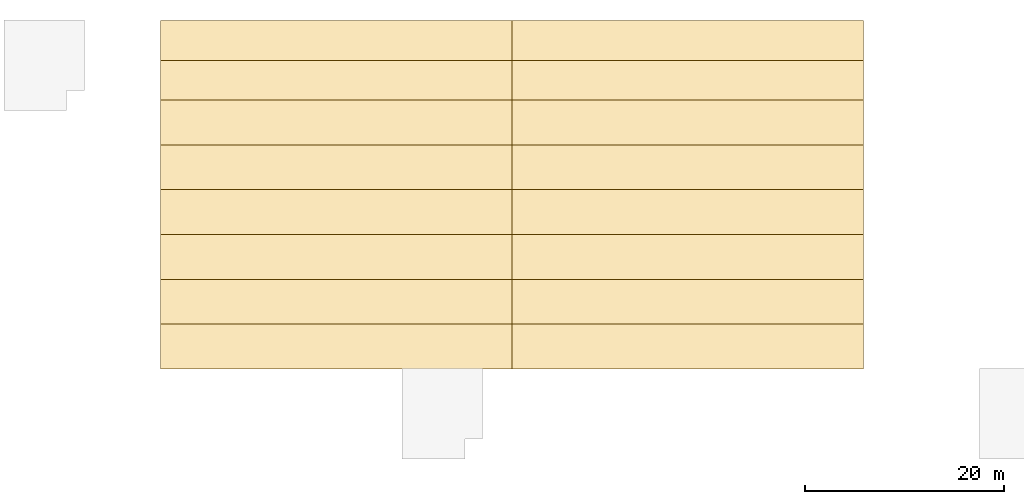
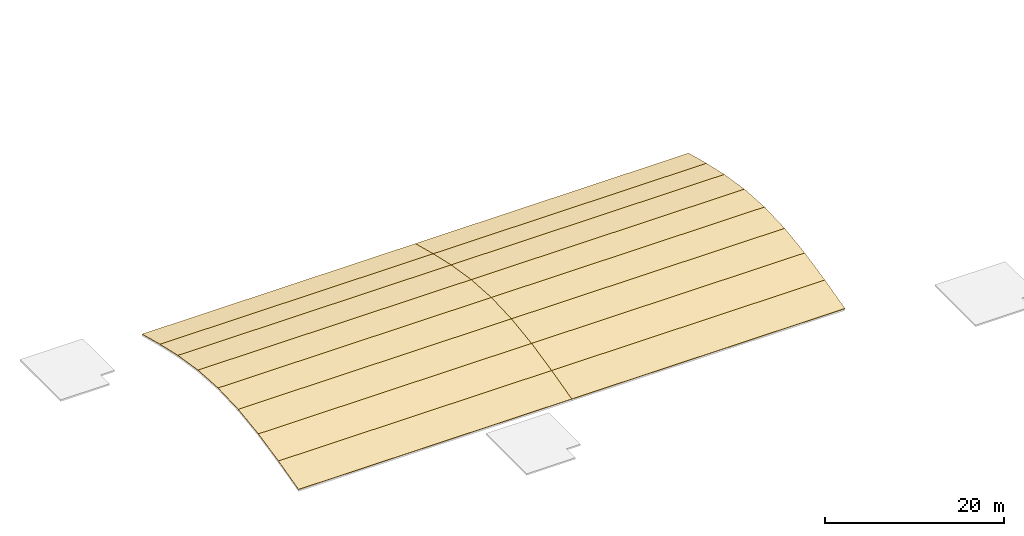
# One storey, part 2 of 2: 16 coverings.
"""IFC4 building model written with IfcOpenShell, lengths in metres."""

from ifc_helpers import new_model, si_unit, derived_unit, direction, frame, origin, place, context, subcontext, project, spatial, polygons, material, layer, layer_set, type_object, element, save


model = new_model("IFC4")

# Units and contexts
model_context = context("Model", 3, precision=1e-05, world=origin(), true_north=direction((0.0, 1.0)))
body_context = subcontext(model_context, "Body", "Model", "MODEL_VIEW")
ifc_project = project(units=[si_unit("LENGTHUNIT", "METRE"), si_unit("AREAUNIT", "SQUARE_METRE"), si_unit("VOLUMEUNIT", "CUBIC_METRE"), si_unit("PLANEANGLEUNIT", "RADIAN"), si_unit("MASSUNIT", "GRAM", prefix="KILO"), si_unit("THERMODYNAMICTEMPERATUREUNIT", "KELVIN"), derived_unit("THERMALTRANSMITTANCEUNIT", [(si_unit("POWERUNIT", "WATT"), 1), (si_unit("AREAUNIT", "SQUARE_METRE"), -1), (si_unit("THERMODYNAMICTEMPERATUREUNIT", "KELVIN"), -1)])], contexts=[model_context])

# Site, building, storey
site_placement = place(None, origin())
site = spatial("IfcSite", under=ifc_project, at=site_placement, CompositionType="ELEMENT")
building_placement = place(site_placement, origin())
building = spatial("IfcBuilding", under=site, at=building_placement, Name="Haiyu Intermodal Mobility Hub", CompositionType="ELEMENT")
storey_placement = place(building_placement, frame((0.0, 0.0, 30.5)))
storey = spatial("IfcBuildingStorey", under=building, at=storey_placement, Name="RF", CompositionType="ELEMENT", Elevation=30.5)

# Coverings
ifc_material = material(Name="Anodised aluminium 6063-T6", Category="aluminium")
ifc_layer = layer(ifc_material, 0.080078125)
ifc_layer_set = layer_set([ifc_layer], Name="Anodised aluminium 6063-T6")
covering_type = type_object("IfcCoveringType", Name="COV-CV04", PredefinedType="ROOFING", material=ifc_layer_set)
covering_1_placement = place(storey_placement, origin())
element("IfcCovering", 1, at=covering_1_placement, inside=storey, type_object=covering_type, Name="Sports Pavilion Standing-Seam Vault 01", PredefinedType="ROOFING", context=body_context, shape_type="Tessellation", body=[
    polygons([(37.699951171875, 113.0, -2.070068359375), (73.0, 113.0, -2.070068359375), (73.0, 117.5, -0.910888671875), (37.699951171875, 117.5, -0.910888671875), (37.699951171875, 113.0, -2.010009765625), (73.0, 113.0, -2.010009765625), (73.0, 117.5, -0.85107421875), (37.699951171875, 117.5, -0.85107421875)], [[[4, 3, 2, 1]], [[5, 6, 7, 8]], [[1, 2, 6, 5]], [[2, 3, 7, 6]], [[3, 4, 8, 7]], [[4, 1, 5, 8]]], closed=True),
])
covering_2_placement = place(storey_placement, origin())
element("IfcCovering", 2, at=covering_2_placement, inside=storey, type_object=covering_type, Name="Sports Pavilion Standing-Seam Vault 02", PredefinedType="ROOFING", context=body_context, shape_type="Tessellation", body=[
    polygons([(37.699951171875, 117.5, -0.910888671875), (73.0, 117.5, -0.910888671875), (73.0, 122.0, 0.06201171875), (37.699951171875, 122.0, 0.06201171875), (37.699951171875, 117.5, -0.85107421875), (73.0, 117.5, -0.85107421875), (73.0, 122.0, 0.1220703125), (37.699951171875, 122.0, 0.1220703125)], [[[4, 3, 2, 1]], [[5, 6, 7, 8]], [[1, 2, 6, 5]], [[2, 3, 7, 6]], [[3, 4, 8, 7]], [[4, 1, 5, 8]]], closed=True),
])
covering_3_placement = place(storey_placement, origin())
element("IfcCovering", 3, at=covering_3_placement, inside=storey, type_object=covering_type, Name="Sports Pavilion Standing-Seam Vault 03", PredefinedType="ROOFING", context=body_context, shape_type="Tessellation", body=[
    polygons([(37.699951171875, 122.0, 0.06201171875), (73.0, 122.0, 0.06201171875), (73.0, 126.5, 0.69189453125), (37.699951171875, 126.5, 0.69189453125), (37.699951171875, 122.0, 0.1220703125), (73.0, 122.0, 0.1220703125), (73.0, 126.5, 0.751953125), (37.699951171875, 126.5, 0.751953125)], [[[4, 3, 2, 1]], [[5, 6, 7, 8]], [[1, 2, 6, 5]], [[2, 3, 7, 6]], [[3, 4, 8, 7]], [[4, 1, 5, 8]]], closed=True),
])
covering_4_placement = place(storey_placement, origin())
element("IfcCovering", 4, at=covering_4_placement, inside=storey, type_object=covering_type, Name="Sports Pavilion Standing-Seam Vault 04", PredefinedType="ROOFING", context=body_context, shape_type="Tessellation", body=[
    polygons([(37.699951171875, 126.5, 0.69189453125), (73.0, 126.5, 0.69189453125), (73.0, 131.0, 0.876953125), (37.699951171875, 131.0, 0.876953125), (37.699951171875, 126.5, 0.751953125), (73.0, 126.5, 0.751953125), (73.0, 131.0, 0.93701171875), (37.699951171875, 131.0, 0.93701171875)], [[[4, 3, 2, 1]], [[5, 6, 7, 8]], [[1, 2, 6, 5]], [[2, 3, 7, 6]], [[3, 4, 8, 7]], [[4, 1, 5, 8]]], closed=True),
])
covering_5_placement = place(storey_placement, origin())
element("IfcCovering", 5, at=covering_5_placement, inside=storey, type_object=covering_type, Name="Sports Pavilion Standing-Seam Vault 05", PredefinedType="ROOFING", context=body_context, shape_type="Tessellation", body=[
    polygons([(37.699951171875, 131.0, 0.876953125), (73.0, 131.0, 0.876953125), (73.0, 135.5, 0.587890625), (37.699951171875, 135.5, 0.587890625), (37.699951171875, 131.0, 0.93701171875), (73.0, 131.0, 0.93701171875), (73.0, 135.5, 0.64794921875), (37.699951171875, 135.5, 0.64794921875)], [[[4, 3, 2, 1]], [[5, 6, 7, 8]], [[1, 2, 6, 5]], [[2, 3, 7, 6]], [[3, 4, 8, 7]], [[4, 1, 5, 8]]], closed=True),
])
covering_6_placement = place(storey_placement, origin())
element("IfcCovering", 6, at=covering_6_placement, inside=storey, type_object=covering_type, Name="Sports Pavilion Standing-Seam Vault 06", PredefinedType="ROOFING", context=body_context, shape_type="Tessellation", body=[
    polygons([(37.699951171875, 135.5, 0.587890625), (73.0, 135.5, 0.587890625), (73.0, 140.0, -0.12890625), (37.699951171875, 140.0, -0.12890625), (37.699951171875, 135.5, 0.64794921875), (73.0, 135.5, 0.64794921875), (73.0, 140.0, -0.069091796875), (37.699951171875, 140.0, -0.069091796875)], [[[4, 3, 2, 1]], [[5, 6, 7, 8]], [[1, 2, 6, 5]], [[2, 3, 7, 6]], [[3, 4, 8, 7]], [[4, 1, 5, 8]]], closed=True),
])
covering_7_placement = place(storey_placement, origin())
element("IfcCovering", 7, at=covering_7_placement, inside=storey, type_object=covering_type, Name="Sports Pavilion Standing-Seam Vault 07", PredefinedType="ROOFING", context=body_context, shape_type="Tessellation", body=[
    polygons([(37.699951171875, 140.0, -0.12890625), (73.0, 140.0, -0.12890625), (73.0, 144.0, -1.032958984375), (37.699951171875, 144.0, -1.032958984375), (37.699951171875, 140.0, -0.069091796875), (73.0, 140.0, -0.069091796875), (73.0, 144.0, -0.972900390625), (37.699951171875, 144.0, -0.972900390625)], [[[4, 3, 2, 1]], [[5, 6, 7, 8]], [[1, 2, 6, 5]], [[2, 3, 7, 6]], [[3, 4, 8, 7]], [[4, 1, 5, 8]]], closed=True),
])
covering_8_placement = place(storey_placement, origin())
element("IfcCovering", 8, at=covering_8_placement, inside=storey, type_object=covering_type, Name="Sports Pavilion Standing-Seam Vault 08", PredefinedType="ROOFING", context=body_context, shape_type="Tessellation", body=[
    polygons([(37.699951171875, 144.0, -1.032958984375), (73.0, 144.0, -1.032958984375), (73.0, 148.0, -2.070068359375), (37.699951171875, 148.0, -2.070068359375), (37.699951171875, 144.0, -0.972900390625), (73.0, 144.0, -0.972900390625), (73.0, 148.0, -2.010009765625), (37.699951171875, 148.0, -2.010009765625)], [[[4, 3, 2, 1]], [[5, 6, 7, 8]], [[1, 2, 6, 5]], [[2, 3, 7, 6]], [[3, 4, 8, 7]], [[4, 1, 5, 8]]], closed=True),
])
covering_9_placement = place(storey_placement, origin())
element("IfcCovering", 9, at=covering_9_placement, inside=storey, type_object=covering_type, Name="Sports Pavilion Standing-Seam Vault 09", PredefinedType="ROOFING", context=body_context, shape_type="Tessellation", body=[
    polygons([(73.0, 113.0, -2.070068359375), (108.300048828125, 113.0, -2.070068359375), (108.300048828125, 117.5, -0.910888671875), (73.0, 117.5, -0.910888671875), (73.0, 113.0, -2.010009765625), (108.300048828125, 113.0, -2.010009765625), (108.300048828125, 117.5, -0.85107421875), (73.0, 117.5, -0.85107421875)], [[[4, 3, 2, 1]], [[5, 6, 7, 8]], [[1, 2, 6, 5]], [[2, 3, 7, 6]], [[3, 4, 8, 7]], [[4, 1, 5, 8]]], closed=True),
])
covering_10_placement = place(storey_placement, origin())
element("IfcCovering", 10, at=covering_10_placement, inside=storey, type_object=covering_type, Name="Sports Pavilion Standing-Seam Vault 10", PredefinedType="ROOFING", context=body_context, shape_type="Tessellation", body=[
    polygons([(73.0, 117.5, -0.910888671875), (108.300048828125, 117.5, -0.910888671875), (108.300048828125, 122.0, 0.06201171875), (73.0, 122.0, 0.06201171875), (73.0, 117.5, -0.85107421875), (108.300048828125, 117.5, -0.85107421875), (108.300048828125, 122.0, 0.1220703125), (73.0, 122.0, 0.1220703125)], [[[4, 3, 2, 1]], [[5, 6, 7, 8]], [[1, 2, 6, 5]], [[2, 3, 7, 6]], [[3, 4, 8, 7]], [[4, 1, 5, 8]]], closed=True),
])
covering_11_placement = place(storey_placement, origin())
element("IfcCovering", 11, at=covering_11_placement, inside=storey, type_object=covering_type, Name="Sports Pavilion Standing-Seam Vault 11", PredefinedType="ROOFING", context=body_context, shape_type="Tessellation", body=[
    polygons([(73.0, 122.0, 0.06201171875), (108.300048828125, 122.0, 0.06201171875), (108.300048828125, 126.5, 0.69189453125), (73.0, 126.5, 0.69189453125), (73.0, 122.0, 0.1220703125), (108.300048828125, 122.0, 0.1220703125), (108.300048828125, 126.5, 0.751953125), (73.0, 126.5, 0.751953125)], [[[4, 3, 2, 1]], [[5, 6, 7, 8]], [[1, 2, 6, 5]], [[2, 3, 7, 6]], [[3, 4, 8, 7]], [[4, 1, 5, 8]]], closed=True),
])
covering_12_placement = place(storey_placement, origin())
element("IfcCovering", 12, at=covering_12_placement, inside=storey, type_object=covering_type, Name="Sports Pavilion Standing-Seam Vault 12", PredefinedType="ROOFING", context=body_context, shape_type="Tessellation", body=[
    polygons([(73.0, 126.5, 0.69189453125), (108.300048828125, 126.5, 0.69189453125), (108.300048828125, 131.0, 0.876953125), (73.0, 131.0, 0.876953125), (73.0, 126.5, 0.751953125), (108.300048828125, 126.5, 0.751953125), (108.300048828125, 131.0, 0.93701171875), (73.0, 131.0, 0.93701171875)], [[[4, 3, 2, 1]], [[5, 6, 7, 8]], [[1, 2, 6, 5]], [[2, 3, 7, 6]], [[3, 4, 8, 7]], [[4, 1, 5, 8]]], closed=True),
])
covering_13_placement = place(storey_placement, origin())
element("IfcCovering", 13, at=covering_13_placement, inside=storey, type_object=covering_type, Name="Sports Pavilion Standing-Seam Vault 13", PredefinedType="ROOFING", context=body_context, shape_type="Tessellation", body=[
    polygons([(73.0, 131.0, 0.876953125), (108.300048828125, 131.0, 0.876953125), (108.300048828125, 135.5, 0.587890625), (73.0, 135.5, 0.587890625), (73.0, 131.0, 0.93701171875), (108.300048828125, 131.0, 0.93701171875), (108.300048828125, 135.5, 0.64794921875), (73.0, 135.5, 0.64794921875)], [[[4, 3, 2, 1]], [[5, 6, 7, 8]], [[1, 2, 6, 5]], [[2, 3, 7, 6]], [[3, 4, 8, 7]], [[4, 1, 5, 8]]], closed=True),
])
covering_14_placement = place(storey_placement, origin())
element("IfcCovering", 14, at=covering_14_placement, inside=storey, type_object=covering_type, Name="Sports Pavilion Standing-Seam Vault 14", PredefinedType="ROOFING", context=body_context, shape_type="Tessellation", body=[
    polygons([(73.0, 135.5, 0.587890625), (108.300048828125, 135.5, 0.587890625), (108.300048828125, 140.0, -0.12890625), (73.0, 140.0, -0.12890625), (73.0, 135.5, 0.64794921875), (108.300048828125, 135.5, 0.64794921875), (108.300048828125, 140.0, -0.069091796875), (73.0, 140.0, -0.069091796875)], [[[4, 3, 2, 1]], [[5, 6, 7, 8]], [[1, 2, 6, 5]], [[2, 3, 7, 6]], [[3, 4, 8, 7]], [[4, 1, 5, 8]]], closed=True),
])
covering_15_placement = place(storey_placement, origin())
element("IfcCovering", 15, at=covering_15_placement, inside=storey, type_object=covering_type, Name="Sports Pavilion Standing-Seam Vault 15", PredefinedType="ROOFING", context=body_context, shape_type="Tessellation", body=[
    polygons([(73.0, 140.0, -0.12890625), (108.300048828125, 140.0, -0.12890625), (108.300048828125, 144.0, -1.032958984375), (73.0, 144.0, -1.032958984375), (73.0, 140.0, -0.069091796875), (108.300048828125, 140.0, -0.069091796875), (108.300048828125, 144.0, -0.972900390625), (73.0, 144.0, -0.972900390625)], [[[4, 3, 2, 1]], [[5, 6, 7, 8]], [[1, 2, 6, 5]], [[2, 3, 7, 6]], [[3, 4, 8, 7]], [[4, 1, 5, 8]]], closed=True),
])
covering_16_placement = place(storey_placement, origin())
element("IfcCovering", 16, at=covering_16_placement, inside=storey, type_object=covering_type, Name="Sports Pavilion Standing-Seam Vault 16", PredefinedType="ROOFING", context=body_context, shape_type="Tessellation", body=[
    polygons([(73.0, 144.0, -1.032958984375), (108.300048828125, 144.0, -1.032958984375), (108.300048828125, 148.0, -2.070068359375), (73.0, 148.0, -2.070068359375), (73.0, 144.0, -0.972900390625), (108.300048828125, 144.0, -0.972900390625), (108.300048828125, 148.0, -2.010009765625), (73.0, 148.0, -2.010009765625)], [[[4, 3, 2, 1]], [[5, 6, 7, 8]], [[1, 2, 6, 5]], [[2, 3, 7, 6]], [[3, 4, 8, 7]], [[4, 1, 5, 8]]], closed=True),
])

save(model, "model.ifc")
